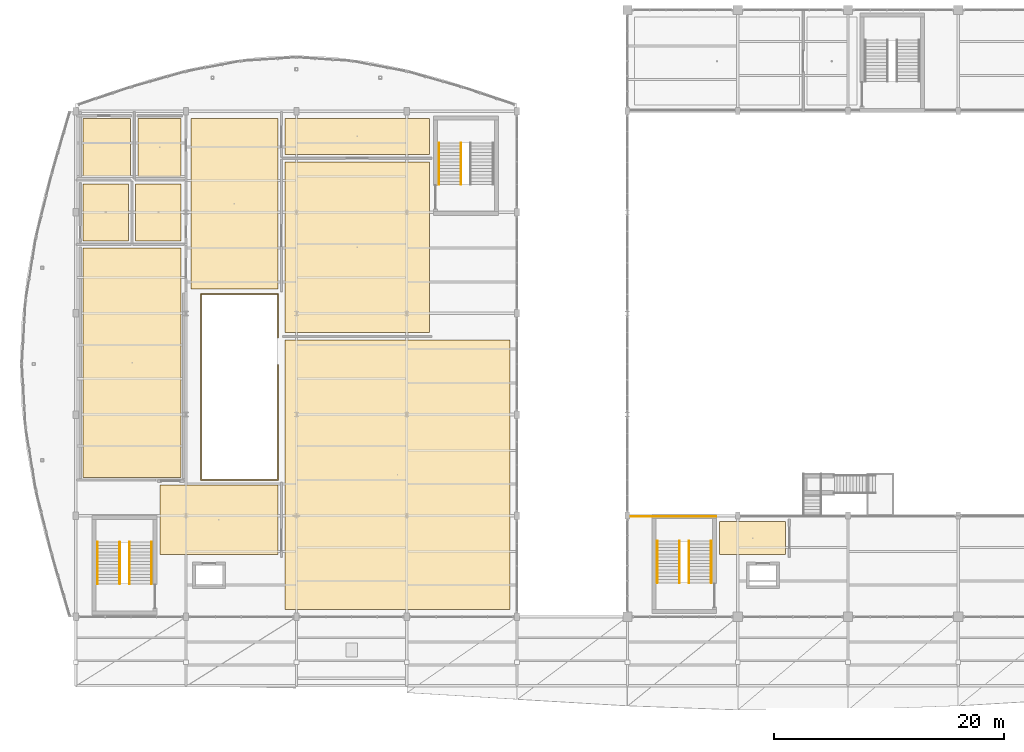
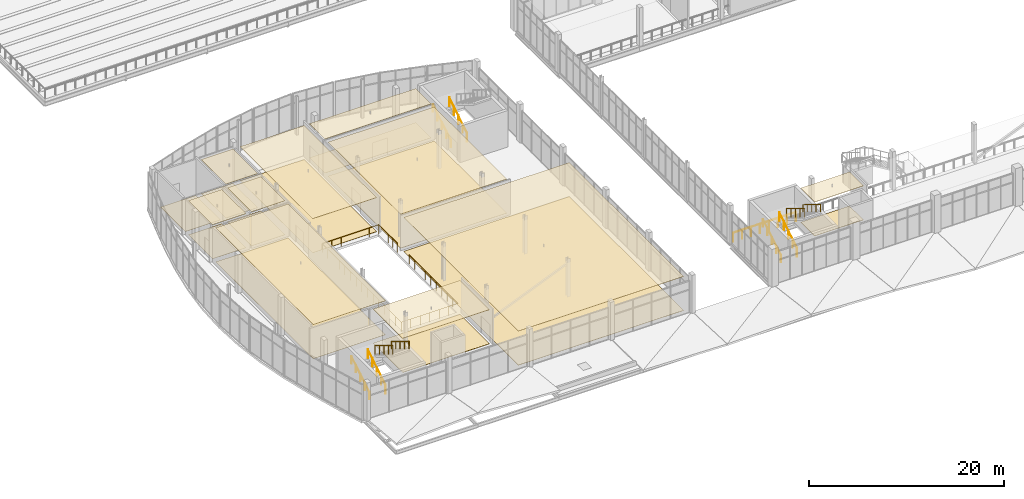
# One storey, part 151 of 157: 21 coverings, 12 railings, 3 elements without a shape of their own.
"""IFC4 building model written with IfcOpenShell, lengths in metres."""

import ifcopenshell
import ifcopenshell.guid

model = None  # the IFC model being written
_history = None  # IfcOwnerHistory: only IFC2X3 demands one
_inside = {}  # id of a spatial element -> (the spatial element, [elements in it])
_under = {}  # id of a project, library or spatial element -> (it, [spatial elements below it])
_declared = {}  # id of a project -> (the project, [libraries it declares])
_typed = {}  # id of a type object -> (the type object, [elements of that type])
_made_of = {}  # id of a material, layer set ... -> (it, [elements and type objects made of it])


def new_model(schema):
    """Start an empty IFC model of exactly this schema.

    Asked for "IFC4X3", IfcOpenShell would pick the latest addendum, in which some entities
    have other attributes; the version numbers below select the first issue.
    IFC2X3 requires an IfcOwnerHistory on every rooted entity: one is made here for all.
    """
    global model, _history
    if schema == "IFC4X3":
        model = ifcopenshell.file(schema_version=(4, 3, 0, 0))
    else:
        model = ifcopenshell.file(schema=schema)
    _inside.clear()
    _under.clear()
    _declared.clear()
    _typed.clear()
    _made_of.clear()
    _history = None
    if model.schema == "IFC2X3":
        org = make("IfcOrganization", Name="unknown")
        user = make(
            "IfcPersonAndOrganization",
            ThePerson=make("IfcPerson", FamilyName="unknown"),
            TheOrganization=org,
        )
        app = make(
            "IfcApplication",
            ApplicationDeveloper=org,
            Version="unknown",
            ApplicationFullName="unknown",
            ApplicationIdentifier="unknown",
        )
        _history = make(
            "IfcOwnerHistory",
            OwningUser=user,
            OwningApplication=app,
            ChangeAction="ADDED",
            CreationDate=0,
        )
    return model


def make(cls, **values):
    """One entity of the class cls with the attributes given. An attribute that is None is left unset."""
    return model.create_entity(
        cls, **{name: value for name, value in values.items() if value is not None}
    )


def rooted(cls, **values):
    """An entity with a GlobalId (a new one), such as an element, a storey or a relation."""
    return make(cls, GlobalId=ifcopenshell.guid.new(), OwnerHistory=_history, **values)


def si_unit(unit_type, name, prefix=None):
    """IfcSIUnit, for example si_unit("LENGTHUNIT", "METRE", prefix="MILLI")."""
    return make("IfcSIUnit", UnitType=unit_type, Prefix=prefix, Name=name)


def assignment(units):
    """IfcUnitAssignment: the units of a project."""
    return None if units is None else make("IfcUnitAssignment", Units=units)


def point(xyz):
    """IfcCartesianPoint."""
    return None if xyz is None else make("IfcCartesianPoint", Coordinates=xyz)


def direction(xyz):
    """IfcDirection."""
    return None if xyz is None else make("IfcDirection", DirectionRatios=xyz)


def frame(location, z_axis=None, x_axis=None):
    """IfcAxis2Placement3D, a coordinate frame: its origin and axes. An axis left out is left unset."""
    return make(
        "IfcAxis2Placement3D",
        Location=point(location),
        Axis=direction(z_axis),
        RefDirection=direction(x_axis),
    )


def frame_2d(location, x_axis=None):
    """IfcAxis2Placement2D, a coordinate frame in the plane: its origin and x axis."""
    return make(
        "IfcAxis2Placement2D", Location=point(location), RefDirection=direction(x_axis)
    )


def origin():
    """The frame at (0, 0, 0) with its axes left unset."""
    return frame((0.0, 0.0, 0.0))


def origin_2d():
    """The frame at (0, 0) in the plane with its x axis left unset."""
    return frame_2d((0.0, 0.0))


def place(relative_to, where):
    """IfcLocalPlacement: puts the frame where relative to a parent placement (None: the world)."""
    return make(
        "IfcLocalPlacement", PlacementRelTo=relative_to, RelativePlacement=where
    )


def context(
    kind, dimensions, precision=None, world=None, true_north=None, identifier=None
):
    """IfcGeometricRepresentationContext, for example the 3D "Model" context."""
    return make(
        "IfcGeometricRepresentationContext",
        ContextIdentifier=identifier,
        ContextType=kind,
        CoordinateSpaceDimension=dimensions,
        Precision=precision,
        WorldCoordinateSystem=world,
        TrueNorth=true_north,
    )


def subcontext(parent, identifier, kind, view, scale=None):
    """IfcGeometricRepresentationSubContext, for example "Body" below "Model"."""
    return make(
        "IfcGeometricRepresentationSubContext",
        ContextIdentifier=identifier,
        ContextType=kind,
        ParentContext=parent,
        TargetScale=scale,
        TargetView=view,
    )


def project(units=None, contexts=None):
    """IfcProject with its units and contexts."""
    return rooted(
        "IfcProject",
        Name="project",
        RepresentationContexts=contexts,
        UnitsInContext=assignment(units),
    )


def spatial(cls, under=None, at=None, **own):
    """A site, building, storey or space (cls), placed at a placement, below another one or the project."""
    s = rooted(cls, ObjectPlacement=at, **own)
    if under is not None:
        _under.setdefault(under.id(), (under, []))[1].append(s)
    return s


def polyline(points):
    """IfcPolyline through the points."""
    return make("IfcPolyline", Points=[point(p) for p in points])


def profile(cls, at=None, kind="AREA", **sizes):
    """A parametric profile (cls). Its sizes go by their IFC names, for example OverallWidth=200.0."""
    return make(cls, ProfileType=kind, Position=at, **sizes)


def circle(**sizes):
    """IfcCircleProfileDef."""
    return profile("IfcCircleProfileDef", **sizes)


def outline(outer, holes=None, kind="AREA"):
    """IfcArbitraryClosedProfileDef: a profile drawn as a closed curve; with holes, ...WithVoids."""
    if holes is None:
        return make("IfcArbitraryClosedProfileDef", ProfileType=kind, OuterCurve=outer)
    return make(
        "IfcArbitraryProfileDefWithVoids",
        ProfileType=kind,
        OuterCurve=outer,
        InnerCurves=holes,
    )


def extrude(swept, where, along, depth):
    """IfcExtrudedAreaSolid: the profile swept, set in the frame where, extruded along a direction by depth."""
    return make(
        "IfcExtrudedAreaSolid",
        SweptArea=swept,
        Position=where,
        ExtrudedDirection=direction(along),
        Depth=depth,
    )


def shape(context_of_items, identifier, shape_type, items):
    """IfcShapeRepresentation: the items that make up one representation, for example the "Body"."""
    return make(
        "IfcShapeRepresentation",
        ContextOfItems=context_of_items,
        RepresentationIdentifier=identifier,
        RepresentationType=shape_type,
        Items=items,
    )


def material(Name=None, Category=None):
    """IfcMaterial."""
    return make("IfcMaterial", Name=Name, Category=Category)


def layer(
    of_material, thickness, ventilated=None, Name=None, Category=None, Priority=None
):
    """IfcMaterialLayer: one layer of a wall or slab, of a material (None: an air gap)."""
    return make(
        "IfcMaterialLayer",
        Material=of_material,
        LayerThickness=thickness,
        IsVentilated=ventilated,
        Name=Name,
        Category=Category,
        Priority=Priority,
    )


def layer_set(layers, Name=None):
    """IfcMaterialLayerSet."""
    return make("IfcMaterialLayerSet", MaterialLayers=layers, LayerSetName=Name)


def made_of(thing, what):
    """Note that an element or type object is made of a material, layer set ...; save() writes the relation."""
    if what is not None:
        _made_of.setdefault(what.id(), (what, []))[1].append(thing)
    return thing


def type_object(cls, material=None, **own):
    """A type object (cls), such as IfcWallType, which elements share."""
    return made_of(rooted(cls, **own), material)


def element(
    cls,
    number,
    at=None,
    inside=None,
    cuts=None,
    type_object=None,
    material=None,
    context=None,
    identifier="Body",
    shape_type=None,
    held_by="IfcProductDefinitionShape",
    body=None,
    shapes=None,
    **own,
):
    """One element of the class cls, such as IfcWall. Its Tag is "e" and its number.

    at: its placement. inside: the storey or other place that contains it. cuts: it is an
    opening in that element (IfcRelVoidsElement). A single representation is given by context,
    identifier, shape_type and body (its items); several are given by shapes. held_by: the class
    of the entity that holds the representations. save() writes the other relations.
    """
    e = rooted(cls, Tag="e%d" % number, ObjectPlacement=at, **own)
    if body is not None:
        shapes = [shape(context, identifier, shape_type, body)]
    if shapes is not None:
        e.Representation = make(held_by, Representations=shapes)
    if inside is not None:
        _inside.setdefault(inside.id(), (inside, []))[1].append(e)
    if cuts is not None:
        rooted(
            "IfcRelVoidsElement", RelatingBuildingElement=cuts, RelatedOpeningElement=e
        )
    if type_object is not None:
        _typed.setdefault(type_object.id(), (type_object, []))[1].append(e)
    return made_of(e, material)


def aggregate(whole, parts):
    """IfcRelAggregates: a whole, such as a stair, and the parts it consists of."""
    return rooted("IfcRelAggregates", RelatingObject=whole, RelatedObjects=parts)


def save(model, path):
    """Write the relations noted so far, then the file.

    IfcRelAggregates (storeys below a building ...), IfcRelContainedInSpatialStructure (elements
    in a storey), IfcRelDefinesByType, IfcRelAssociatesMaterial and IfcRelDeclares: one each for
    every whole, place, type object, material and project.
    """
    for whole, parts in _under.values():
        aggregate(whole, parts)
    for where, things in _inside.values():
        rooted(
            "IfcRelContainedInSpatialStructure",
            RelatedElements=things,
            RelatingStructure=where,
        )
    for kind, things in _typed.values():
        rooted("IfcRelDefinesByType", RelatedObjects=things, RelatingType=kind)
    for what, things in _made_of.values():
        rooted("IfcRelAssociatesMaterial", RelatedObjects=things, RelatingMaterial=what)
    for by, libraries in _declared.values():
        rooted("IfcRelDeclares", RelatingContext=by, RelatedDefinitions=libraries)
    model.write(path)


model = new_model("IFC4")

# Units and contexts
model_context = context("Model", 3, precision=1e-05, world=origin(), true_north=direction((0.0, 1.0)))
body_context = subcontext(model_context, "Body", "Model", "MODEL_VIEW")
ifc_project = project(units=[si_unit("LENGTHUNIT", "METRE"), si_unit("AREAUNIT", "SQUARE_METRE"), si_unit("VOLUMEUNIT", "CUBIC_METRE"), si_unit("PLANEANGLEUNIT", "RADIAN"), si_unit("MASSUNIT", "GRAM", prefix="KILO")], contexts=[model_context])

# Site, building, storey
site_placement = place(None, origin())
site = spatial("IfcSite", under=ifc_project, at=site_placement, CompositionType="ELEMENT")
building_placement = place(site_placement, origin())
building = spatial("IfcBuilding", under=site, at=building_placement, Name="Chalmorin Arch Market", CompositionType="ELEMENT")
storey_placement = place(building_placement, frame((0.0, 0.0, 4.800048828125)))
storey = spatial("IfcBuildingStorey", under=building, at=storey_placement, Name="L01", CompositionType="ELEMENT", Elevation=4.800048828125)

# Coverings
ifc_material_1 = material(Name="Mineral Fibre Acoustic Tile")
ifc_layer_1 = layer(ifc_material_1, 0.044921875)
ifc_layer_set_1 = layer_set([ifc_layer_1], Name="Mineral Fibre Acoustic Tile")
covering_type_1 = type_object("IfcCoveringType", Name="AcousticBaffleCeiling-45", PredefinedType="CEILING", material=ifc_layer_set_1)
covering_1_placement = place(storey_placement, frame((0.0, 0.0, 4.23486328125)))
element("IfcCovering", 1, at=covering_1_placement, inside=storey, type_object=covering_type_1, Name="CLG-01-141", PredefinedType="CEILING", context=body_context, shape_type="SweptSolid", body=[
    extrude(outline(polyline([(56.02001953125, 11.419921875), (61.780029296875, 11.419921875), (61.780029296875, 14.280029296875), (56.02001953125, 14.280029296875), (56.02001953125, 11.419921875)])), origin(), (0.0, 0.0, 1.0), 0.045166015625),
])
covering_2_placement = place(storey_placement, frame((0.0, 0.0, 4.23486328125)))
element("IfcCovering", 2, at=covering_2_placement, inside=storey, type_object=covering_type_1, Name="CLG-01-153", PredefinedType="CEILING", context=body_context, shape_type="SweptSolid", body=[
    extrude(outline(polyline([(7.320068359375, 11.419921875), (17.580078125, 11.419921875), (17.580078125, 17.47998046875), (7.320068359375, 17.47998046875), (7.320068359375, 11.419921875)])), origin(), (0.0, 0.0, 1.0), 0.045166015625),
])
covering_3_placement = place(storey_placement, frame((0.0, 0.0, 4.23486328125)))
element("IfcCovering", 3, at=covering_3_placement, inside=storey, type_object=covering_type_1, Name="CLG-01-155", PredefinedType="CEILING", context=body_context, shape_type="SweptSolid", body=[
    extrude(outline(polyline([(18.219970703125, 6.6201171875), (37.780029296875, 6.6201171875), (37.780029296875, 30.080078125), (18.219970703125, 30.080078125), (18.219970703125, 6.6201171875)])), origin(), (0.0, 0.0, 1.0), 0.045166015625),
])
covering_4_placement = place(storey_placement, frame((0.0, 0.0, 4.23486328125)))
element("IfcCovering", 4, at=covering_4_placement, inside=storey, type_object=covering_type_1, Name="CLG-01-157", PredefinedType="CEILING", context=body_context, shape_type="SweptSolid", body=[
    extrude(outline(polyline([(18.219970703125, 30.719970703125), (30.780029296875, 30.719970703125), (30.780029296875, 45.580078125), (18.219970703125, 45.580078125), (18.219970703125, 30.719970703125)])), origin(), (0.0, 0.0, 1.0), 0.045166015625),
])
covering_5_placement = place(storey_placement, frame((0.0, 0.0, 4.23486328125)))
element("IfcCovering", 5, at=covering_5_placement, inside=storey, type_object=covering_type_1, Name="CLG-01-159", PredefinedType="CEILING", context=body_context, shape_type="SweptSolid", body=[
    extrude(outline(polyline([(18.219970703125, 46.219970703125), (30.780029296875, 46.219970703125), (30.780029296875, 49.3798828125), (18.219970703125, 49.3798828125), (18.219970703125, 46.219970703125)])), origin(), (0.0, 0.0, 1.0), 0.045166015625),
])
covering_6_placement = place(storey_placement, frame((0.0, 0.0, 4.23486328125)))
element("IfcCovering", 6, at=covering_6_placement, inside=storey, type_object=covering_type_1, Name="CLG-01-163", PredefinedType="CEILING", context=body_context, shape_type="SweptSolid", body=[
    extrude(outline(polyline([(10.02001953125, 34.52001953125), (17.580078125, 34.52001953125), (17.580078125, 49.3798828125), (10.02001953125, 49.3798828125), (10.02001953125, 34.52001953125)])), origin(), (0.0, 0.0, 1.0), 0.045166015625),
])
ifc_material_2 = material(Name="Epoxy Resin Flooring")
ifc_layer_2 = layer(ifc_material_2, 0.02001953125)
ifc_layer_set_2 = layer_set([ifc_layer_2], Name="Epoxy Resin Flooring")
covering_type_2 = type_object("IfcCoveringType", Name="EpoxySlipResistantKitchenFloor-20", PredefinedType="FLOORING", material=ifc_layer_set_2)
covering_7_placement = place(storey_placement, origin())
element("IfcCovering", 7, at=covering_7_placement, inside=storey, type_object=covering_type_2, Name="FLR-02-160", PredefinedType="FLOORING", context=body_context, shape_type="SweptSolid", body=[
    extrude(outline(polyline([(0.6201171875, 18.1201171875), (9.179931640625, 18.1201171875), (9.179931640625, 38.080078125), (0.6201171875, 38.080078125), (0.6201171875, 18.1201171875)])), origin(), (0.0, 0.0, 1.0), 0.02001953125),
])

# Railings
ifc_material_3 = material(Name="Laminated Acoustic Glass", Category="glass")
ifc_layer_3 = layer(ifc_material_3, 0.070068359375)
ifc_layer_set_3 = layer_set([ifc_layer_3], Name="Laminated Acoustic Glass")
railing_type_1 = type_object("IfcRailingType", Name="GlassBalustradeRailing-1150", PredefinedType="BALUSTRADE", material=ifc_layer_set_3)
railing_1_placement = place(storey_placement, frame((48.300048828125, 14.719970703125, 0.0)))
element("IfcRailing", 8, at=railing_1_placement, inside=storey, type_object=railing_type_1, Name="GR-001", PredefinedType="BALUSTRADE", context=body_context, shape_type="SweptSolid", body=[
    extrude(circle(Radius=0.02392578125, at=origin_2d()), frame((0.0, 0.0, 1.1259765625), z_axis=(1.0, 0.0, 0.0), x_axis=(0.0, 1.0, 0.0)), (0.0, 0.0, 1.0), 7.39990234375),
    extrude(circle(Radius=0.02099609375, at=origin_2d()), origin(), (0.0, 0.0, 1.0), 1.101806640625),
    extrude(circle(Radius=0.02099609375, at=origin_2d()), frame((1.05712890625, 0.0, 0.0)), (0.0, 0.0, 1.0), 1.101806640625),
    extrude(circle(Radius=0.02099609375, at=origin_2d()), frame((2.1142578125, 0.0, 0.0)), (0.0, 0.0, 1.0), 1.101806640625),
    extrude(circle(Radius=0.02099609375, at=origin_2d()), frame((3.17138671875, 0.0, 0.0)), (0.0, 0.0, 1.0), 1.101806640625),
    extrude(circle(Radius=0.02099609375, at=origin_2d()), frame((4.228515625, 0.0, 0.0)), (0.0, 0.0, 1.0), 1.101806640625),
    extrude(circle(Radius=0.02099609375, at=origin_2d()), frame((5.28564453125, 0.0, 0.0)), (0.0, 0.0, 1.0), 1.101806640625),
    extrude(circle(Radius=0.02099609375, at=origin_2d()), frame((6.3427734375, 0.0, 0.0)), (0.0, 0.0, 1.0), 1.101806640625),
    extrude(circle(Radius=0.02099609375, at=origin_2d()), frame((7.39990234375, 0.0, 0.0)), (0.0, 0.0, 1.0), 1.101806640625),
])
railing_2_placement = place(storey_placement, frame((17.60009765625, 27.89990234375, 0.0)))
element("IfcRailing", 9, at=railing_2_placement, inside=storey, type_object=railing_type_1, Name="GR-008", PredefinedType="BALUSTRADE", context=body_context, shape_type="SweptSolid", body=[
    extrude(circle(Radius=0.02392578125, at=origin_2d()), frame((0.0, 0.0, 1.1259765625), z_axis=(0.0, -1.0, 0.0), x_axis=(1.0, 0.0, 0.0)), (0.0, 0.0, 1.0), 10.0),
    extrude(circle(Radius=0.02392578125, at=origin_2d()), frame((0.0, -10.0, 1.1259765625), z_axis=(-1.0, 0.0, 0.0), x_axis=(0.0, -1.0, 0.0)), (0.0, 0.0, 1.0), 6.7001953125),
    extrude(circle(Radius=0.02392578125, at=origin_2d()), frame((-6.7001953125, -10.0, 1.1259765625), z_axis=(0.0, 1.0, 0.0), x_axis=(-1.0, 0.0, 0.0)), (0.0, 0.0, 1.0), 16.2001953125),
    extrude(circle(Radius=0.02392578125, at=origin_2d()), frame((-6.7001953125, 6.2001953125, 1.1259765625), z_axis=(1.0, 0.0, 0.0), x_axis=(0.0, 1.0, 0.0)), (0.0, 0.0, 1.0), 6.7001953125),
    extrude(circle(Radius=0.02392578125, at=origin_2d()), frame((0.0, 6.2001953125, 1.1259765625), z_axis=(0.0, -1.0, 0.0), x_axis=(1.0, 0.0, 0.0)), (0.0, 0.0, 1.0), 3.800048828125),
    extrude(circle(Radius=0.02099609375, at=origin_2d()), origin(), (0.0, 0.0, 1.0), 1.101806640625),
    extrude(circle(Radius=0.02099609375, at=origin_2d()), frame((0.0, -1.111083984375, 0.0)), (0.0, 0.0, 1.0), 1.101806640625),
    extrude(circle(Radius=0.02099609375, at=origin_2d()), frame((0.0, -2.22216796875, 0.0)), (0.0, 0.0, 1.0), 1.101806640625),
    extrude(circle(Radius=0.02099609375, at=origin_2d()), frame((0.0, -3.333251953125, 0.0)), (0.0, 0.0, 1.0), 1.101806640625),
    extrude(circle(Radius=0.02099609375, at=origin_2d()), frame((0.0, -4.4443359375, 0.0)), (0.0, 0.0, 1.0), 1.101806640625),
    extrude(circle(Radius=0.02099609375, at=origin_2d()), frame((0.0, -5.5556640625, 0.0)), (0.0, 0.0, 1.0), 1.101806640625),
    extrude(circle(Radius=0.02099609375, at=origin_2d()), frame((0.0, -6.666748046875, 0.0)), (0.0, 0.0, 1.0), 1.101806640625),
    extrude(circle(Radius=0.02099609375, at=origin_2d()), frame((0.0, -7.77783203125, 0.0)), (0.0, 0.0, 1.0), 1.101806640625),
    extrude(circle(Radius=0.02099609375, at=origin_2d()), frame((0.0, -8.888916015625, 0.0)), (0.0, 0.0, 1.0), 1.101806640625),
    extrude(circle(Radius=0.02099609375, at=origin_2d()), frame((0.0, -10.0, 0.0)), (0.0, 0.0, 1.0), 1.101806640625),
    extrude(circle(Radius=0.02099609375, at=origin_2d()), frame((-1.11669921875, -10.0, 0.0)), (0.0, 0.0, 1.0), 1.101806640625),
    extrude(circle(Radius=0.02099609375, at=origin_2d()), frame((-2.2333984375, -10.0, 0.0)), (0.0, 0.0, 1.0), 1.101806640625),
    extrude(circle(Radius=0.02099609375, at=origin_2d()), frame((-3.35009765625, -10.0, 0.0)), (0.0, 0.0, 1.0), 1.101806640625),
    extrude(circle(Radius=0.02099609375, at=origin_2d()), frame((-4.466796875, -10.0, 0.0)), (0.0, 0.0, 1.0), 1.101806640625),
    extrude(circle(Radius=0.02099609375, at=origin_2d()), frame((-5.58349609375, -10.0, 0.0)), (0.0, 0.0, 1.0), 1.101806640625),
    extrude(circle(Radius=0.02099609375, at=origin_2d()), frame((-6.7001953125, -10.0, 0.0)), (0.0, 0.0, 1.0), 1.101806640625),
    extrude(circle(Radius=0.02099609375, at=origin_2d()), frame((-6.7001953125, -8.8427734375, 0.0)), (0.0, 0.0, 1.0), 1.101806640625),
    extrude(circle(Radius=0.02099609375, at=origin_2d()), frame((-6.7001953125, -7.685791015625, 0.0)), (0.0, 0.0, 1.0), 1.101806640625),
    extrude(circle(Radius=0.02099609375, at=origin_2d()), frame((-6.7001953125, -6.528564453125, 0.0)), (0.0, 0.0, 1.0), 1.101806640625),
    extrude(circle(Radius=0.02099609375, at=origin_2d()), frame((-6.7001953125, -5.371337890625, 0.0)), (0.0, 0.0, 1.0), 1.101806640625),
    extrude(circle(Radius=0.02099609375, at=origin_2d()), frame((-6.7001953125, -4.214111328125, 0.0)), (0.0, 0.0, 1.0), 1.101806640625),
    extrude(circle(Radius=0.02099609375, at=origin_2d()), frame((-6.7001953125, -3.05712890625, 0.0)), (0.0, 0.0, 1.0), 1.101806640625),
    extrude(circle(Radius=0.02099609375, at=origin_2d()), frame((-6.7001953125, -1.89990234375, 0.0)), (0.0, 0.0, 1.0), 1.101806640625),
    extrude(circle(Radius=0.02099609375, at=origin_2d()), frame((-6.7001953125, -0.74267578125, 0.0)), (0.0, 0.0, 1.0), 1.101806640625),
    extrude(circle(Radius=0.02099609375, at=origin_2d()), frame((-6.7001953125, 0.414306640625, 0.0)), (0.0, 0.0, 1.0), 1.101806640625),
    extrude(circle(Radius=0.02099609375, at=origin_2d()), frame((-6.7001953125, 1.571533203125, 0.0)), (0.0, 0.0, 1.0), 1.101806640625),
    extrude(circle(Radius=0.02099609375, at=origin_2d()), frame((-6.7001953125, 2.728759765625, 0.0)), (0.0, 0.0, 1.0), 1.101806640625),
    extrude(circle(Radius=0.02099609375, at=origin_2d()), frame((-6.7001953125, 3.885986328125, 0.0)), (0.0, 0.0, 1.0), 1.101806640625),
    extrude(circle(Radius=0.02099609375, at=origin_2d()), frame((-6.7001953125, 5.04296875, 0.0)), (0.0, 0.0, 1.0), 1.101806640625),
    extrude(circle(Radius=0.02099609375, at=origin_2d()), frame((-6.7001953125, 6.2001953125, 0.0)), (0.0, 0.0, 1.0), 1.101806640625),
    extrude(circle(Radius=0.02099609375, at=origin_2d()), frame((-5.58349609375, 6.2001953125, 0.0)), (0.0, 0.0, 1.0), 1.101806640625),
    extrude(circle(Radius=0.02099609375, at=origin_2d()), frame((-4.466796875, 6.2001953125, 0.0)), (0.0, 0.0, 1.0), 1.101806640625),
    extrude(circle(Radius=0.02099609375, at=origin_2d()), frame((-3.35009765625, 6.2001953125, 0.0)), (0.0, 0.0, 1.0), 1.101806640625),
    extrude(circle(Radius=0.02099609375, at=origin_2d()), frame((-2.2333984375, 6.2001953125, 0.0)), (0.0, 0.0, 1.0), 1.101806640625),
    extrude(circle(Radius=0.02099609375, at=origin_2d()), frame((-1.11669921875, 6.2001953125, 0.0)), (0.0, 0.0, 1.0), 1.101806640625),
    extrude(circle(Radius=0.02099609375, at=origin_2d()), frame((0.0, 6.2001953125, 0.0)), (0.0, 0.0, 1.0), 1.101806640625),
    extrude(circle(Radius=0.02099609375, at=origin_2d()), frame((0.0, 5.250244140625, 0.0)), (0.0, 0.0, 1.0), 1.101806640625),
    extrude(circle(Radius=0.02099609375, at=origin_2d()), frame((0.0, 4.30029296875, 0.0)), (0.0, 0.0, 1.0), 1.101806640625),
    extrude(circle(Radius=0.02099609375, at=origin_2d()), frame((0.0, 3.35009765625, 0.0)), (0.0, 0.0, 1.0), 1.101806640625),
    extrude(circle(Radius=0.02099609375, at=origin_2d()), frame((0.0, 2.400146484375, 0.0)), (0.0, 0.0, 1.0), 1.101806640625),
])

# Coverings
ifc_material_4 = material(Name="Powder-coated Aluminium Panel", Category="aluminium")
ifc_layer_4 = layer(ifc_material_4, 0.034912109375)
ifc_layer_set_4 = layer_set([ifc_layer_4], Name="Powder-coated Aluminium Panel")
covering_type_3 = type_object("IfcCoveringType", Name="HygienicWashableKitchenCeiling-35", PredefinedType="CEILING", material=ifc_layer_set_4)
covering_8_placement = place(storey_placement, frame((0.0, 0.0, 4.244873046875)))
element("IfcCovering", 10, at=covering_8_placement, inside=storey, type_object=covering_type_3, Name="CLG-02-161", PredefinedType="CEILING", context=body_context, shape_type="SweptSolid", body=[
    extrude(outline(polyline([(0.6201171875, 18.1201171875), (9.179931640625, 18.1201171875), (9.179931640625, 38.080078125), (0.6201171875, 38.080078125), (0.6201171875, 18.1201171875)])), origin(), (0.0, 0.0, 1.0), 0.03515625),
])
ifc_material_5 = material(Name="Gypsum Board Partition")
ifc_layer_5 = layer(ifc_material_5, 0.030029296875)
ifc_layer_set_5 = layer_set([ifc_layer_5], Name="Gypsum Board Partition")
covering_type_4 = type_object("IfcCoveringType", Name="MoistureResistantGypsumCeiling-30", PredefinedType="CEILING", material=ifc_layer_set_5)
covering_9_placement = place(storey_placement, frame((0.0, 0.0, 4.25)))
element("IfcCovering", 11, at=covering_9_placement, inside=storey, type_object=covering_type_4, Name="CLG-03-165", PredefinedType="CEILING", context=body_context, shape_type="SweptSolid", body=[
    extrude(outline(polyline([(0.6201171875, 38.719970703125), (4.580078125, 38.719970703125), (4.580078125, 43.679931640625), (0.6201171875, 43.679931640625), (0.6201171875, 38.719970703125)])), origin(), (0.0, 0.0, 1.0), 0.030029296875),
])
covering_10_placement = place(storey_placement, frame((0.0, 0.0, 4.25)))
element("IfcCovering", 12, at=covering_10_placement, inside=storey, type_object=covering_type_4, Name="CLG-03-167", PredefinedType="CEILING", context=body_context, shape_type="SweptSolid", body=[
    extrude(outline(polyline([(5.219970703125, 38.719970703125), (9.179931640625, 38.719970703125), (9.179931640625, 43.679931640625), (5.219970703125, 43.679931640625), (5.219970703125, 38.719970703125)])), origin(), (0.0, 0.0, 1.0), 0.030029296875),
])
covering_11_placement = place(storey_placement, frame((0.0, 0.0, 4.25)))
element("IfcCovering", 13, at=covering_11_placement, inside=storey, type_object=covering_type_4, Name="CLG-03-169", PredefinedType="CEILING", context=body_context, shape_type="SweptSolid", body=[
    extrude(outline(polyline([(5.419921875, 44.320068359375), (9.179931640625, 44.320068359375), (9.179931640625, 49.3798828125), (5.419921875, 49.3798828125), (5.419921875, 44.320068359375)])), origin(), (0.0, 0.0, 1.0), 0.030029296875),
])
ifc_material_6 = material(Name="Ceramic Porcelain Tile")
ifc_layer_6 = layer(ifc_material_6, 0.01806640625)
ifc_layer_set_6 = layer_set([ifc_layer_6], Name="Ceramic Porcelain Tile")
covering_type_5 = type_object("IfcCoveringType", Name="PorcelainRestroomTileFloor-18", PredefinedType="FLOORING", material=ifc_layer_set_6)
covering_12_placement = place(storey_placement, origin())
element("IfcCovering", 14, at=covering_12_placement, inside=storey, type_object=covering_type_5, Name="FLR-03-164", PredefinedType="FLOORING", context=body_context, shape_type="SweptSolid", body=[
    extrude(outline(polyline([(0.6201171875, 38.719970703125), (4.580078125, 38.719970703125), (4.580078125, 43.679931640625), (0.6201171875, 43.679931640625), (0.6201171875, 38.719970703125)])), origin(), (0.0, 0.0, 1.0), 0.01806640625),
])
covering_13_placement = place(storey_placement, origin())
element("IfcCovering", 15, at=covering_13_placement, inside=storey, type_object=covering_type_5, Name="FLR-03-166", PredefinedType="FLOORING", context=body_context, shape_type="SweptSolid", body=[
    extrude(outline(polyline([(5.219970703125, 38.719970703125), (9.179931640625, 38.719970703125), (9.179931640625, 43.679931640625), (5.219970703125, 43.679931640625), (5.219970703125, 38.719970703125)])), origin(), (0.0, 0.0, 1.0), 0.01806640625),
])
covering_14_placement = place(storey_placement, origin())
element("IfcCovering", 16, at=covering_14_placement, inside=storey, type_object=covering_type_5, Name="FLR-03-168", PredefinedType="FLOORING", context=body_context, shape_type="SweptSolid", body=[
    extrude(outline(polyline([(5.419921875, 44.320068359375), (9.179931640625, 44.320068359375), (9.179931640625, 49.3798828125), (5.419921875, 49.3798828125), (5.419921875, 44.320068359375)])), origin(), (0.0, 0.0, 1.0), 0.01806640625),
])

# Stair, railings
ifc_material_7 = material(Name="Concrete C40/50", Category="concrete")
stair_type_1 = type_object("IfcStairType", Name="DoglegExitStair-28R-SC1", PredefinedType="HALF_TURN_STAIR", material=ifc_material_7)
stair_1_placement = place(storey_placement, origin())
stair_1 = element("IfcStair", 17, at=stair_1_placement, inside=storey, type_object=stair_type_1, Name="ST-02", PredefinedType="HALF_TURN_STAIR")
ifc_material_8 = material(Name="Stainless Steel 316", Category="steel")
ifc_layer_7 = layer(ifc_material_8, 0.048095703125)
ifc_layer_set_7 = layer_set([ifc_layer_7], Name="Stainless Steel 316")
railing_type_2 = type_object("IfcRailingType", Name="StairTubeHandrail-920", PredefinedType="HANDRAIL", material=ifc_layer_set_7)
railing_3_placement = place(storey_placement, frame((1.89990234375, 8.860107421875, 0.17138671875)))
railing_3 = element("IfcRailing", 18, at=railing_3_placement, type_object=railing_type_2, Name="HR-01-006", PredefinedType="HANDRAIL", context=body_context, shape_type="SweptSolid", body=[
    extrude(circle(Radius=0.02392578125, at=origin_2d()), frame((0.0, 0.0, 0.89599609375), z_axis=(0.0, 0.852850264322, 0.5221555579), x_axis=(-1.0, 0.0, 0.0)), (0.0, 0.0, 1.0), 4.267822265625),
    extrude(circle(Radius=0.02099609375, at=origin_2d()), origin(), (0.0, 0.0, 1.0), 0.871826171875),
    extrude(circle(Radius=0.02099609375, at=origin_2d()), frame((0.0, 0.909912109375, 0.55712890625)), (0.0, 0.0, 1.0), 0.871826171875),
    extrude(circle(Radius=0.02099609375, at=origin_2d()), frame((0.0, 1.81982421875, 1.1142578125)), (0.0, 0.0, 1.0), 0.871826171875),
    extrude(circle(Radius=0.02099609375, at=origin_2d()), frame((0.0, 2.72998046875, 1.67138671875)), (0.0, 0.0, 1.0), 0.871826171875),
    extrude(circle(Radius=0.02099609375, at=origin_2d()), frame((0.0, 3.639892578125, 2.228515625)), (0.0, 0.0, 1.0), 0.871826171875),
])
railing_4_placement = place(storey_placement, frame((6.60009765625, 12.5, 2.5712890625)))
railing_4 = element("IfcRailing", 19, at=railing_4_placement, type_object=railing_type_2, Name="HR-01-009", PredefinedType="HANDRAIL", context=body_context, shape_type="SweptSolid", body=[
    extrude(circle(Radius=0.02392578125, at=origin_2d()), frame((0.0, 0.0, 0.89599609375), z_axis=(0.0, -0.852824790078, 0.522197163366), x_axis=(1.0, 0.0, 0.0)), (0.0, 0.0, 1.0), 4.26806640625),
    extrude(circle(Radius=0.02099609375, at=origin_2d()), origin(), (0.0, 0.0, 1.0), 0.871826171875),
    extrude(circle(Radius=0.02099609375, at=origin_2d()), frame((0.0, -0.909912109375, 0.55712890625)), (0.0, 0.0, 1.0), 0.871826171875),
    extrude(circle(Radius=0.02099609375, at=origin_2d()), frame((0.0, -1.81982421875, 1.1142578125)), (0.0, 0.0, 1.0), 0.871826171875),
    extrude(circle(Radius=0.02099609375, at=origin_2d()), frame((0.0, -2.72998046875, 1.671630859375)), (0.0, 0.0, 1.0), 0.871826171875),
    extrude(circle(Radius=0.02099609375, at=origin_2d()), frame((0.0, -3.639892578125, 2.228759765625)), (0.0, 0.0, 1.0), 0.871826171875),
])

# Stair, railing
stair_type_2 = type_object("IfcStairType", Name="DoglegExitStair-28R-SC2", PredefinedType="HALF_TURN_STAIR", material=ifc_material_7)
stair_2_placement = place(storey_placement, origin())
stair_2 = element("IfcStair", 20, at=stair_2_placement, inside=storey, type_object=stair_type_2, Name="ST-04", PredefinedType="HALF_TURN_STAIR")
railing_5_placement = place(storey_placement, frame((31.60009765625, 43.610107421875, 0.17138671875)))
railing_5 = element("IfcRailing", 21, at=railing_5_placement, type_object=railing_type_2, Name="HR-01-015", PredefinedType="HANDRAIL", context=body_context, shape_type="SweptSolid", body=[
    extrude(circle(Radius=0.02392578125, at=origin_2d()), frame((0.0, 0.0, 0.89599609375), z_axis=(0.0, 0.852850264322, 0.5221555579), x_axis=(-1.0, 0.0, 0.0)), (0.0, 0.0, 1.0), 4.267822265625),
    extrude(circle(Radius=0.02099609375, at=origin_2d()), origin(), (0.0, 0.0, 1.0), 0.871826171875),
    extrude(circle(Radius=0.02099609375, at=origin_2d()), frame((0.0, 0.909912109375, 0.55712890625)), (0.0, 0.0, 1.0), 0.871826171875),
    extrude(circle(Radius=0.02099609375, at=origin_2d()), frame((0.0, 1.81982421875, 1.1142578125)), (0.0, 0.0, 1.0), 0.871826171875),
    extrude(circle(Radius=0.02099609375, at=origin_2d()), frame((0.0, 2.72998046875, 1.67138671875)), (0.0, 0.0, 1.0), 0.871826171875),
    extrude(circle(Radius=0.02099609375, at=origin_2d()), frame((0.0, 3.639892578125, 2.228515625)), (0.0, 0.0, 1.0), 0.871826171875),
])

# Stair, railings
stair_type_3 = type_object("IfcStairType", Name="DoglegExitStair-28R-SC3", PredefinedType="HALF_TURN_STAIR", material=ifc_material_7)
stair_3_placement = place(storey_placement, origin())
stair_3 = element("IfcStair", 22, at=stair_3_placement, inside=storey, type_object=stair_type_3, Name="ST-07", PredefinedType="HALF_TURN_STAIR")
railing_6_placement = place(storey_placement, frame((50.60009765625, 8.9599609375, 0.17138671875)))
railing_6 = element("IfcRailing", 23, at=railing_6_placement, type_object=railing_type_2, Name="HR-01-028", PredefinedType="HANDRAIL", context=body_context, shape_type="SweptSolid", body=[
    extrude(circle(Radius=0.02392578125, at=origin_2d()), frame((0.0, 0.0, 0.89599609375), z_axis=(0.0, 0.852865859571, 0.52213008492), x_axis=(-1.0, 0.0, 0.0)), (0.0, 0.0, 1.0), 4.26806640625),
    extrude(circle(Radius=0.02099609375, at=origin_2d()), origin(), (0.0, 0.0, 1.0), 0.871826171875),
    extrude(circle(Radius=0.02099609375, at=origin_2d()), frame((0.0, 0.91015625, 0.55712890625)), (0.0, 0.0, 1.0), 0.871826171875),
    extrude(circle(Radius=0.02099609375, at=origin_2d()), frame((0.0, 1.820068359375, 1.1142578125)), (0.0, 0.0, 1.0), 0.871826171875),
    extrude(circle(Radius=0.02099609375, at=origin_2d()), frame((0.0, 2.72998046875, 1.67138671875)), (0.0, 0.0, 1.0), 0.871826171875),
    extrude(circle(Radius=0.02099609375, at=origin_2d()), frame((0.0, 3.64013671875, 2.228515625)), (0.0, 0.0, 1.0), 0.871826171875),
])
railing_7_placement = place(storey_placement, frame((55.300048828125, 12.60009765625, 2.5712890625)))
railing_7 = element("IfcRailing", 24, at=railing_7_placement, type_object=railing_type_2, Name="HR-01-031", PredefinedType="HANDRAIL", context=body_context, shape_type="SweptSolid", body=[
    extrude(circle(Radius=0.02392578125, at=origin_2d()), frame((0.0, 0.0, 0.89599609375), z_axis=(0.0, -0.852840387347, 0.522171689878), x_axis=(1.0, 0.0, 0.0)), (0.0, 0.0, 1.0), 4.268310546875),
    extrude(circle(Radius=0.02099609375, at=origin_2d()), origin(), (0.0, 0.0, 1.0), 0.871826171875),
    extrude(circle(Radius=0.02099609375, at=origin_2d()), frame((0.0, -0.91015625, 0.55712890625)), (0.0, 0.0, 1.0), 0.871826171875),
    extrude(circle(Radius=0.02099609375, at=origin_2d()), frame((0.0, -1.820068359375, 1.1142578125)), (0.0, 0.0, 1.0), 0.871826171875),
    extrude(circle(Radius=0.02099609375, at=origin_2d()), frame((0.0, -2.72998046875, 1.671630859375)), (0.0, 0.0, 1.0), 0.871826171875),
    extrude(circle(Radius=0.02099609375, at=origin_2d()), frame((0.0, -3.64013671875, 2.228759765625)), (0.0, 0.0, 1.0), 0.871826171875),
])

# Railing
ifc_material_9 = material(Name="Galvanised Steel", Category="steel")
ifc_layer_8 = layer(ifc_material_9, 0.054931640625)
ifc_layer_set_8 = layer_set([ifc_layer_8], Name="Galvanised Steel")
railing_type_3 = type_object("IfcRailingType", Name="StairWellGuardrail-1100", PredefinedType="GUARDRAIL", material=ifc_layer_set_8)
railing_8_placement = place(storey_placement, frame((3.830078125, 8.860107421875, 0.17138671875)))
railing_8 = element("IfcRailing", 25, at=railing_8_placement, type_object=railing_type_3, Name="SG-01-007", PredefinedType="GUARDRAIL", context=body_context, shape_type="SweptSolid", body=[
    extrude(circle(Radius=0.02392578125, at=origin_2d()), frame((0.0, 0.0, 1.076171875), z_axis=(0.0, 0.852850264322, 0.5221555579), x_axis=(-1.0, 0.0, 0.0)), (0.0, 0.0, 1.0), 4.267822265625),
    extrude(circle(Radius=0.02099609375, at=origin_2d()), origin(), (0.0, 0.0, 1.0), 1.052001953125),
    extrude(circle(Radius=0.02099609375, at=origin_2d()), frame((0.0, 0.909912109375, 0.55712890625)), (0.0, 0.0, 1.0), 1.052001953125),
    extrude(circle(Radius=0.02099609375, at=origin_2d()), frame((0.0, 1.81982421875, 1.1142578125)), (0.0, 0.0, 1.0), 1.052001953125),
    extrude(circle(Radius=0.02099609375, at=origin_2d()), frame((0.0, 2.72998046875, 1.67138671875)), (0.0, 0.0, 1.0), 1.052001953125),
    extrude(circle(Radius=0.02099609375, at=origin_2d()), frame((0.0, 3.639892578125, 2.228515625)), (0.0, 0.0, 1.0), 1.052001953125),
])

railing_9_placement = place(storey_placement, frame((4.669921875, 12.5, 2.5712890625)))
railing_9 = element("IfcRailing", 26, at=railing_9_placement, type_object=railing_type_3, Name="SG-01-008", PredefinedType="GUARDRAIL", context=body_context, shape_type="SweptSolid", body=[
    extrude(circle(Radius=0.02392578125, at=origin_2d()), frame((0.0, 0.0, 1.076171875), z_axis=(0.0, -0.852824790078, 0.522197163366), x_axis=(1.0, 0.0, 0.0)), (0.0, 0.0, 1.0), 4.26806640625),
    extrude(circle(Radius=0.02099609375, at=origin_2d()), origin(), (0.0, 0.0, 1.0), 1.052001953125),
    extrude(circle(Radius=0.02099609375, at=origin_2d()), frame((0.0, -0.909912109375, 0.55712890625)), (0.0, 0.0, 1.0), 1.052001953125),
    extrude(circle(Radius=0.02099609375, at=origin_2d()), frame((0.0, -1.81982421875, 1.1142578125)), (0.0, 0.0, 1.0), 1.052001953125),
    extrude(circle(Radius=0.02099609375, at=origin_2d()), frame((0.0, -2.72998046875, 1.671630859375)), (0.0, 0.0, 1.0), 1.052001953125),
    extrude(circle(Radius=0.02099609375, at=origin_2d()), frame((0.0, -3.639892578125, 2.228759765625)), (0.0, 0.0, 1.0), 1.052001953125),
])

aggregate(stair_1, [railing_3, railing_8, railing_9, railing_4])

railing_10_placement = place(storey_placement, frame((33.530029296875, 43.610107421875, 0.17138671875)))
railing_10 = element("IfcRailing", 27, at=railing_10_placement, type_object=railing_type_3, Name="SG-01-016", PredefinedType="GUARDRAIL", context=body_context, shape_type="SweptSolid", body=[
    extrude(circle(Radius=0.02392578125, at=origin_2d()), frame((0.0, 0.0, 1.076171875), z_axis=(0.0, 0.852850264322, 0.5221555579), x_axis=(-1.0, 0.0, 0.0)), (0.0, 0.0, 1.0), 4.267822265625),
    extrude(circle(Radius=0.02099609375, at=origin_2d()), origin(), (0.0, 0.0, 1.0), 1.052001953125),
    extrude(circle(Radius=0.02099609375, at=origin_2d()), frame((0.0, 0.909912109375, 0.55712890625)), (0.0, 0.0, 1.0), 1.052001953125),
    extrude(circle(Radius=0.02099609375, at=origin_2d()), frame((0.0, 1.81982421875, 1.1142578125)), (0.0, 0.0, 1.0), 1.052001953125),
    extrude(circle(Radius=0.02099609375, at=origin_2d()), frame((0.0, 2.72998046875, 1.67138671875)), (0.0, 0.0, 1.0), 1.052001953125),
    extrude(circle(Radius=0.02099609375, at=origin_2d()), frame((0.0, 3.639892578125, 2.228515625)), (0.0, 0.0, 1.0), 1.052001953125),
])

aggregate(stair_2, [railing_5, railing_10])

railing_11_placement = place(storey_placement, frame((52.530029296875, 8.9599609375, 0.17138671875)))
railing_11 = element("IfcRailing", 28, at=railing_11_placement, type_object=railing_type_3, Name="SG-01-029", PredefinedType="GUARDRAIL", context=body_context, shape_type="SweptSolid", body=[
    extrude(circle(Radius=0.02392578125, at=origin_2d()), frame((0.0, 0.0, 1.076171875), z_axis=(0.0, 0.852865859571, 0.52213008492), x_axis=(-1.0, 0.0, 0.0)), (0.0, 0.0, 1.0), 4.26806640625),
    extrude(circle(Radius=0.02099609375, at=origin_2d()), origin(), (0.0, 0.0, 1.0), 1.052001953125),
    extrude(circle(Radius=0.02099609375, at=origin_2d()), frame((0.0, 0.91015625, 0.55712890625)), (0.0, 0.0, 1.0), 1.052001953125),
    extrude(circle(Radius=0.02099609375, at=origin_2d()), frame((0.0, 1.820068359375, 1.1142578125)), (0.0, 0.0, 1.0), 1.052001953125),
    extrude(circle(Radius=0.02099609375, at=origin_2d()), frame((0.0, 2.72998046875, 1.67138671875)), (0.0, 0.0, 1.0), 1.052001953125),
    extrude(circle(Radius=0.02099609375, at=origin_2d()), frame((0.0, 3.64013671875, 2.228515625)), (0.0, 0.0, 1.0), 1.052001953125),
])

railing_12_placement = place(storey_placement, frame((53.3701171875, 12.60009765625, 2.5712890625)))
railing_12 = element("IfcRailing", 29, at=railing_12_placement, type_object=railing_type_3, Name="SG-01-030", PredefinedType="GUARDRAIL", context=body_context, shape_type="SweptSolid", body=[
    extrude(circle(Radius=0.02392578125, at=origin_2d()), frame((0.0, 0.0, 1.076171875), z_axis=(0.0, -0.852840387347, 0.522171689878), x_axis=(1.0, 0.0, 0.0)), (0.0, 0.0, 1.0), 4.268310546875),
    extrude(circle(Radius=0.02099609375, at=origin_2d()), origin(), (0.0, 0.0, 1.0), 1.052001953125),
    extrude(circle(Radius=0.02099609375, at=origin_2d()), frame((0.0, -0.91015625, 0.55712890625)), (0.0, 0.0, 1.0), 1.052001953125),
    extrude(circle(Radius=0.02099609375, at=origin_2d()), frame((0.0, -1.820068359375, 1.1142578125)), (0.0, 0.0, 1.0), 1.052001953125),
    extrude(circle(Radius=0.02099609375, at=origin_2d()), frame((0.0, -2.72998046875, 1.671630859375)), (0.0, 0.0, 1.0), 1.052001953125),
    extrude(circle(Radius=0.02099609375, at=origin_2d()), frame((0.0, -3.64013671875, 2.228759765625)), (0.0, 0.0, 1.0), 1.052001953125),
])

aggregate(stair_3, [railing_6, railing_11, railing_12, railing_7])

# Coverings
ifc_material_10 = material(Name="Polished Terrazzo")
ifc_layer_9 = layer(ifc_material_10, 0.02490234375)
ifc_layer_set_9 = layer_set([ifc_layer_9], Name="Polished Terrazzo")
covering_type_6 = type_object("IfcCoveringType", Name="TerrazzoMarketFloorFinish-25", PredefinedType="FLOORING", material=ifc_layer_set_9)
covering_15_placement = place(storey_placement, origin())
element("IfcCovering", 30, at=covering_15_placement, inside=storey, type_object=covering_type_6, Name="FLR-01-140", PredefinedType="FLOORING", context=body_context, shape_type="SweptSolid", body=[
    extrude(outline(polyline([(56.02001953125, 11.419921875), (61.780029296875, 11.419921875), (61.780029296875, 14.280029296875), (56.02001953125, 14.280029296875), (56.02001953125, 11.419921875)])), origin(), (0.0, 0.0, 1.0), 0.02490234375),
])
covering_16_placement = place(storey_placement, origin())
element("IfcCovering", 31, at=covering_16_placement, inside=storey, type_object=covering_type_6, Name="FLR-01-152", PredefinedType="FLOORING", context=body_context, shape_type="SweptSolid", body=[
    extrude(outline(polyline([(7.320068359375, 11.419921875), (17.580078125, 11.419921875), (17.580078125, 17.47998046875), (7.320068359375, 17.47998046875), (7.320068359375, 11.419921875)])), origin(), (0.0, 0.0, 1.0), 0.02490234375),
])
covering_17_placement = place(storey_placement, origin())
element("IfcCovering", 32, at=covering_17_placement, inside=storey, type_object=covering_type_6, Name="FLR-01-154", PredefinedType="FLOORING", context=body_context, shape_type="SweptSolid", body=[
    extrude(outline(polyline([(18.219970703125, 6.6201171875), (37.780029296875, 6.6201171875), (37.780029296875, 30.080078125), (18.219970703125, 30.080078125), (18.219970703125, 6.6201171875)])), origin(), (0.0, 0.0, 1.0), 0.02490234375),
])
covering_18_placement = place(storey_placement, origin())
element("IfcCovering", 33, at=covering_18_placement, inside=storey, type_object=covering_type_6, Name="FLR-01-156", PredefinedType="FLOORING", context=body_context, shape_type="SweptSolid", body=[
    extrude(outline(polyline([(18.219970703125, 30.719970703125), (30.780029296875, 30.719970703125), (30.780029296875, 45.580078125), (18.219970703125, 45.580078125), (18.219970703125, 30.719970703125)])), origin(), (0.0, 0.0, 1.0), 0.02490234375),
])
covering_19_placement = place(storey_placement, origin())
element("IfcCovering", 34, at=covering_19_placement, inside=storey, type_object=covering_type_6, Name="FLR-01-158", PredefinedType="FLOORING", context=body_context, shape_type="SweptSolid", body=[
    extrude(outline(polyline([(18.219970703125, 46.219970703125), (30.780029296875, 46.219970703125), (30.780029296875, 49.3798828125), (18.219970703125, 49.3798828125), (18.219970703125, 46.219970703125)])), origin(), (0.0, 0.0, 1.0), 0.02490234375),
])
covering_20_placement = place(storey_placement, origin())
element("IfcCovering", 35, at=covering_20_placement, inside=storey, type_object=covering_type_6, Name="FLR-01-162", PredefinedType="FLOORING", context=body_context, shape_type="SweptSolid", body=[
    extrude(outline(polyline([(10.02001953125, 34.52001953125), (17.580078125, 34.52001953125), (17.580078125, 49.3798828125), (10.02001953125, 49.3798828125), (10.02001953125, 34.52001953125)])), origin(), (0.0, 0.0, 1.0), 0.02490234375),
])
covering_21_placement = place(storey_placement, origin())
element("IfcCovering", 36, at=covering_21_placement, inside=storey, type_object=covering_type_6, Name="FLR-01-170", PredefinedType="FLOORING", context=body_context, shape_type="SweptSolid", body=[
    extrude(outline(polyline([(0.6201171875, 44.320068359375), (4.780029296875, 44.320068359375), (4.780029296875, 49.3798828125), (0.6201171875, 49.3798828125), (0.6201171875, 44.320068359375)])), origin(), (0.0, 0.0, 1.0), 0.02490234375),
])

save(model, "model.ifc")
